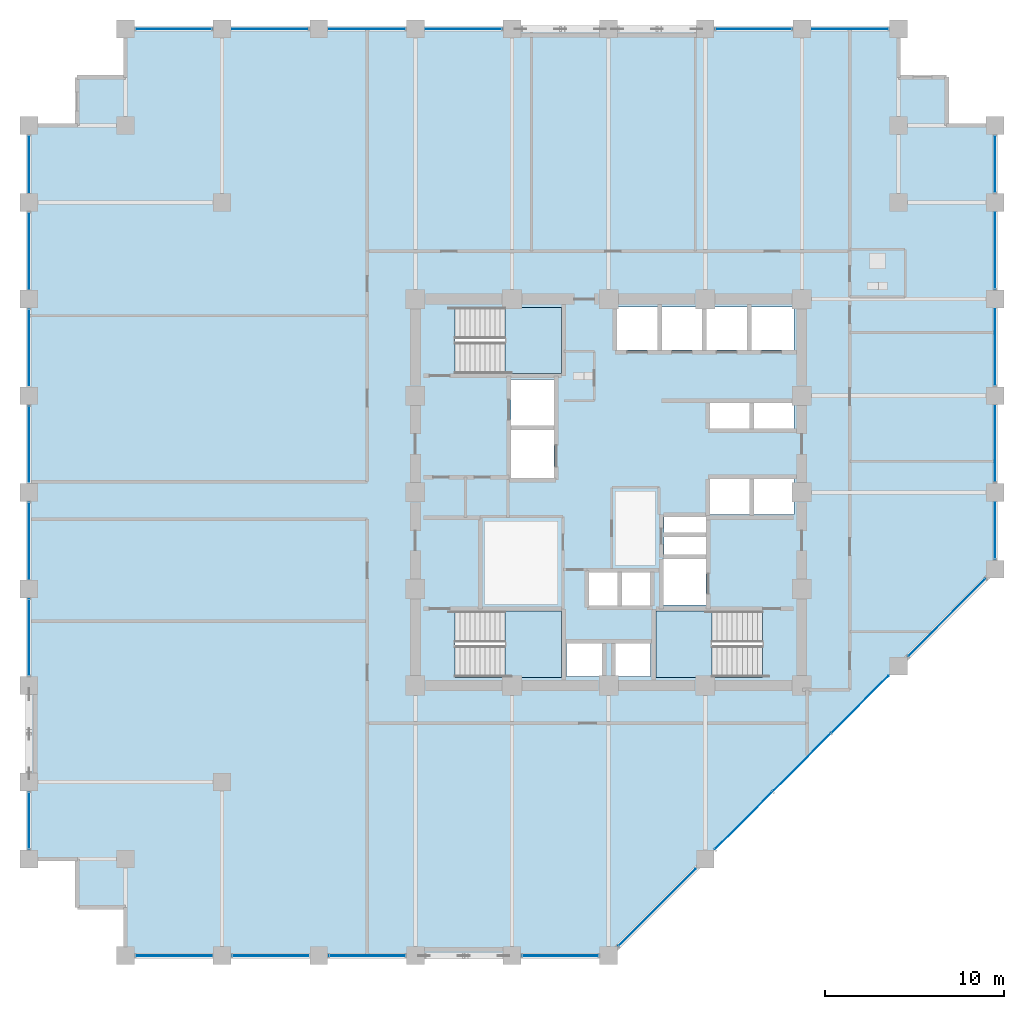
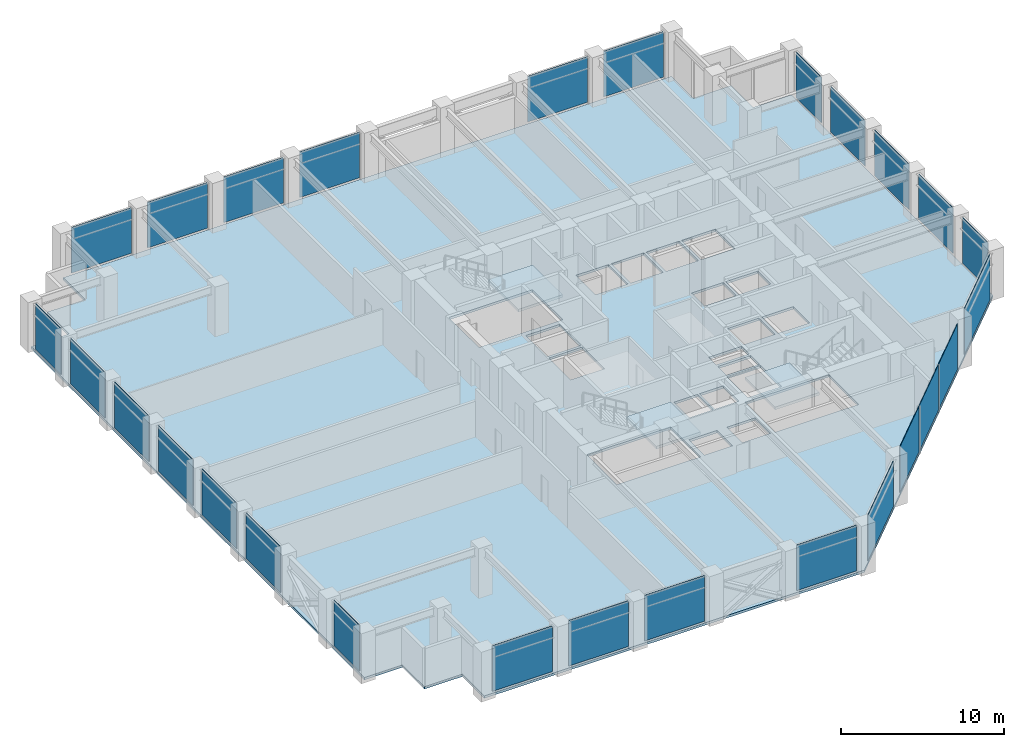
# One storey, part 17 of 23: 27 plates, 4 slabs, 11 elements without a shape of their own.
"""IFC4 building model written with IfcOpenShell, lengths in metres."""

from ifc_helpers import new_model, si_unit, direction, frame, frame_2d, origin, place, context, subcontext, project, spatial, polyline, rectangle, outline, extrude, material, layer, layer_set, type_object, element, aggregate, save


model = new_model("IFC4")

# Units and contexts
model_context = context("Model", 3, precision=1e-05, world=origin(), true_north=direction((0.0, 1.0)))
body_context = subcontext(model_context, "Body", "Model", "MODEL_VIEW")
ifc_project = project(units=[si_unit("LENGTHUNIT", "METRE"), si_unit("AREAUNIT", "SQUARE_METRE"), si_unit("VOLUMEUNIT", "CUBIC_METRE"), si_unit("PLANEANGLEUNIT", "RADIAN"), si_unit("MASSUNIT", "GRAM", prefix="KILO")], contexts=[model_context])

# Site, building, storey
site_placement = place(None, origin())
site = spatial("IfcSite", under=ifc_project, at=site_placement, CompositionType="ELEMENT")
building_placement = place(site_placement, origin())
building = spatial("IfcBuilding", under=site, at=building_placement, Name="Surkhivell Harbour Commons", CompositionType="ELEMENT")
storey_placement = place(building_placement, frame((0.0, 0.0, 135.75)))
storey = spatial("IfcBuildingStorey", under=building, at=storey_placement, Name="L35", CompositionType="ELEMENT", Elevation=135.75)

# Curtain wall, plates
ifc_material_1 = material(Name="Anodised pale-metal aluminium and insulated glazing", Category="aluminium")
ifc_layer_1 = layer(ifc_material_1, 0.205078125)
ifc_layer_set_1 = layer_set([ifc_layer_1], Name="Anodised pale-metal aluminium and insulated glazing")
curtain_wall_type = type_object("IfcCurtainWallType", Name="CW-SYS-Z2", PredefinedType="NOTDEFINED", material=ifc_layer_set_1)
curtain_wall_1_placement = place(storey_placement, origin())
curtain_wall_1 = element("IfcCurtainWall", 1, at=curtain_wall_1_placement, inside=storey, type_object=curtain_wall_type, Name="L35 Curtain Wall CW-L35-E00S1", PredefinedType="NOTDEFINED")
ifc_material_2 = material(Name="High-pressure typhoon laminated vision glass", Category="glass")
ifc_layer_2 = layer(ifc_material_2, 0.035888671875)
ifc_layer_set_2 = layer_set([ifc_layer_2], Name="High-pressure typhoon laminated vision glass")
plate_type = type_object("IfcPlateType", Name="CWP-GLZ-36", PredefinedType="CURTAIN_PANEL", material=ifc_layer_set_2)
plate_1_placement = place(storey_placement, frame((-26.423095703125, -25.89990234375, 0.14990234375), z_axis=(0.0, 0.0, 1.0), x_axis=(1.0, 0.0, 0.0)))
plate_1 = element("IfcPlate", 2, at=plate_1_placement, type_object=plate_type, Name="CW-Z2 panel 1.1", PredefinedType="CURTAIN_PANEL", context=body_context, shape_type="SweptSolid", body=[
    extrude(rectangle(XDim=4.24609375, YDim=0.035888671875, at=frame_2d((2.123046875, 0.0))), origin(), (0.0, 0.0, 1.0), 3.420166015625),
])
plate_2_placement = place(storey_placement, frame((-21.02294921875, -25.89990234375, 0.14990234375), z_axis=(0.0, 0.0, 1.0), x_axis=(1.0, 0.0, 0.0)))
plate_2 = element("IfcPlate", 3, at=plate_2_placement, type_object=plate_type, Name="CW-Z2 panel 2.1", PredefinedType="CURTAIN_PANEL", context=body_context, shape_type="SweptSolid", body=[
    extrude(rectangle(XDim=4.245849609375, YDim=0.035888671875, at=frame_2d((2.123046875, 0.0))), origin(), (0.0, 0.0, 1.0), 3.420166015625),
])
plate_3_placement = place(storey_placement, frame((-15.623046875, -25.89990234375, 0.14990234375), z_axis=(0.0, 0.0, 1.0), x_axis=(1.0, 0.0, 0.0)))
plate_3 = element("IfcPlate", 4, at=plate_3_placement, type_object=plate_type, Name="CW-Z2 panel 3.1", PredefinedType="CURTAIN_PANEL", context=body_context, shape_type="SweptSolid", body=[
    extrude(rectangle(XDim=4.24609375, YDim=0.035888671875, at=frame_2d((2.123046875, 0.0))), origin(), (0.0, 0.0, 1.0), 3.420166015625),
])
aggregate(curtain_wall_1, [plate_1, plate_2, plate_3])

# Curtain wall, plate
curtain_wall_2_placement = place(storey_placement, origin())
curtain_wall_2 = element("IfcCurtainWall", 5, at=curtain_wall_2_placement, inside=storey, type_object=curtain_wall_type, Name="L35 Curtain Wall CW-L35-E00S2", PredefinedType="NOTDEFINED")
plate_4_placement = place(storey_placement, frame((-4.822998046875, -25.89990234375, 0.14990234375), z_axis=(0.0, 0.0, 1.0), x_axis=(1.0, 0.0, 0.0)))
plate_4 = element("IfcPlate", 6, at=plate_4_placement, type_object=plate_type, Name="CW-Z2 panel 1.1", PredefinedType="CURTAIN_PANEL", context=body_context, shape_type="SweptSolid", body=[
    extrude(rectangle(XDim=4.24609375, YDim=0.035888671875, at=frame_2d((2.123046875, 0.0))), origin(), (0.0, 0.0, 1.0), 3.420166015625),
])
aggregate(curtain_wall_2, [plate_4])

# Curtain wall, plates
curtain_wall_3_placement = place(storey_placement, origin())
curtain_wall_3 = element("IfcCurtainWall", 7, at=curtain_wall_3_placement, inside=storey, type_object=curtain_wall_type, Name="L35 Curtain Wall CW-L35-E01", PredefinedType="NOTDEFINED")
plate_5_placement = place(storey_placement, frame((0.5546875, -25.34521484375, 0.14990234375), z_axis=(0.0, 0.0, 1.0), x_axis=(0.707106781187, 0.707106781187, 0.0)))
plate_5 = element("IfcPlate", 8, at=plate_5_placement, type_object=plate_type, Name="CW-Z2 panel 1.1", PredefinedType="CURTAIN_PANEL", context=body_context, shape_type="SweptSolid", body=[
    extrude(rectangle(XDim=6.067626953125, YDim=0.035888671875, at=frame_2d((3.03369140625, 0.0))), origin(), (0.0, 0.0, 1.0), 3.420166015625),
])
plate_6_placement = place(storey_placement, frame((5.954833984375, -19.9453125, 0.14990234375), z_axis=(0.0, 0.0, 1.0), x_axis=(0.707079687416, 0.707133873919, 0.0)))
plate_6 = element("IfcPlate", 9, at=plate_6_placement, type_object=plate_type, Name="CW-Z2 panel 2.1", PredefinedType="CURTAIN_PANEL", context=body_context, shape_type="SweptSolid", body=[
    extrude(rectangle(XDim=4.505615234375, YDim=0.035888671875, at=frame_2d((2.2529296875, 0.0))), origin(), (0.0, 0.0, 1.0), 3.420166015625),
])
plate_7_placement = place(storey_placement, frame((9.19384765625, -16.706298828125, 0.14990234375), z_axis=(0.0, 0.0, 1.0), x_axis=(0.707079911854, 0.707133649498, 0.0)))
plate_7 = element("IfcPlate", 10, at=plate_7_placement, type_object=plate_type, Name="CW-Z2 panel 3.1", PredefinedType="CURTAIN_PANEL", context=body_context, shape_type="SweptSolid", body=[
    extrude(rectangle(XDim=4.543212890625, YDim=0.035888671875, at=frame_2d((2.271484375, 0.0))), origin(), (0.0, 0.0, 1.0), 3.420166015625),
])
plate_8_placement = place(storey_placement, frame((12.459228515625, -13.440673828125, 0.14990234375), z_axis=(0.0, 0.0, 1.0), x_axis=(0.707106781187, 0.707106781187, 0.0)))
plate_8 = element("IfcPlate", 11, at=plate_8_placement, type_object=plate_type, Name="CW-Z2 panel 4.1", PredefinedType="CURTAIN_PANEL", context=body_context, shape_type="SweptSolid", body=[
    extrude(rectangle(XDim=4.505615234375, YDim=0.035888671875, at=frame_2d((2.2529296875, 0.0))), origin(), (0.0, 0.0, 1.0), 3.420166015625),
])
plate_9_placement = place(storey_placement, frame((16.754638671875, -9.145263671875, 0.14990234375), z_axis=(0.0, 0.0, 1.0), x_axis=(0.707106781187, 0.707106781187, 0.0)))
plate_9 = element("IfcPlate", 12, at=plate_9_placement, type_object=plate_type, Name="CW-Z2 panel 5.1", PredefinedType="CURTAIN_PANEL", context=body_context, shape_type="SweptSolid", body=[
    extrude(rectangle(XDim=6.067626953125, YDim=0.035888671875, at=frame_2d((3.03369140625, 0.0))), origin(), (0.0, 0.0, 1.0), 3.420166015625),
])
aggregate(curtain_wall_3, [plate_5, plate_6, plate_7, plate_8, plate_9])

curtain_wall_4_placement = place(storey_placement, origin())
curtain_wall_4 = element("IfcCurtainWall", 13, at=curtain_wall_4_placement, inside=storey, type_object=curtain_wall_type, Name="L35 Curtain Wall CW-L35-E02", PredefinedType="NOTDEFINED")
plate_10_placement = place(storey_placement, frame((21.60009765625, -3.722900390625, 0.14990234375), z_axis=(0.0, 0.0, 1.0), x_axis=(0.0, 1.0, 0.0)))
plate_10 = element("IfcPlate", 14, at=plate_10_placement, type_object=plate_type, Name="CW-Z2 panel 1.1", PredefinedType="CURTAIN_PANEL", context=body_context, shape_type="SweptSolid", body=[
    extrude(rectangle(XDim=3.14599609375, YDim=0.035888671875, at=frame_2d((1.572998046875, 0.0))), origin(), (0.0, 0.0, 1.0), 3.420166015625),
])
plate_11_placement = place(storey_placement, frame((21.60009765625, 0.576904296875, 0.14990234375), z_axis=(0.0, 0.0, 1.0), x_axis=(0.0, 1.0, 0.0)))
plate_11 = element("IfcPlate", 15, at=plate_11_placement, type_object=plate_type, Name="CW-Z2 panel 2.1", PredefinedType="CURTAIN_PANEL", context=body_context, shape_type="SweptSolid", body=[
    extrude(rectangle(XDim=4.24609375, YDim=0.035888671875, at=frame_2d((2.123046875, 0.0))), origin(), (0.0, 0.0, 1.0), 3.420166015625),
])
plate_12_placement = place(storey_placement, frame((21.60009765625, 5.97705078125, 0.14990234375), z_axis=(0.0, 0.0, 1.0), x_axis=(0.0, 1.0, 0.0)))
plate_12 = element("IfcPlate", 16, at=plate_12_placement, type_object=plate_type, Name="CW-Z2 panel 3.1", PredefinedType="CURTAIN_PANEL", context=body_context, shape_type="SweptSolid", body=[
    extrude(rectangle(XDim=4.245849609375, YDim=0.035888671875, at=frame_2d((2.123046875, 0.0))), origin(), (0.0, 0.0, 1.0), 3.420166015625),
])
plate_13_placement = place(storey_placement, frame((21.60009765625, 11.376953125, 0.14990234375), z_axis=(0.0, 0.0, 1.0), x_axis=(0.0, 1.0, 0.0)))
plate_13 = element("IfcPlate", 17, at=plate_13_placement, type_object=plate_type, Name="CW-Z2 panel 4.1", PredefinedType="CURTAIN_PANEL", context=body_context, shape_type="SweptSolid", body=[
    extrude(rectangle(XDim=4.24609375, YDim=0.035888671875, at=frame_2d((2.123046875, 0.0))), origin(), (0.0, 0.0, 1.0), 3.420166015625),
])
plate_14_placement = place(storey_placement, frame((21.60009765625, 16.777099609375, 0.14990234375), z_axis=(0.0, 0.0, 1.0), x_axis=(0.0, 1.0, 0.0)))
plate_14 = element("IfcPlate", 18, at=plate_14_placement, type_object=plate_type, Name="CW-Z2 panel 5.1", PredefinedType="CURTAIN_PANEL", context=body_context, shape_type="SweptSolid", body=[
    extrude(rectangle(XDim=3.14599609375, YDim=0.035888671875, at=frame_2d((1.572998046875, 0.0))), origin(), (0.0, 0.0, 1.0), 3.420166015625),
])
aggregate(curtain_wall_4, [plate_10, plate_11, plate_12, plate_13, plate_14])

curtain_wall_5_placement = place(storey_placement, origin())
curtain_wall_5 = element("IfcCurtainWall", 19, at=curtain_wall_5_placement, inside=storey, type_object=curtain_wall_type, Name="L35 Curtain Wall CW-L35-E07S1", PredefinedType="NOTDEFINED")
plate_15_placement = place(storey_placement, frame((15.623046875, 25.89990234375, 0.14990234375), z_axis=(0.0, 0.0, 1.0), x_axis=(-1.0, 0.0, 0.0)))
plate_15 = element("IfcPlate", 20, at=plate_15_placement, type_object=plate_type, Name="CW-Z2 panel 1.1", PredefinedType="CURTAIN_PANEL", context=body_context, shape_type="SweptSolid", body=[
    extrude(rectangle(XDim=4.24609375, YDim=0.035888671875, at=frame_2d((2.123046875, 0.0))), origin(), (0.0, 0.0, 1.0), 3.420166015625),
])
plate_16_placement = place(storey_placement, frame((10.222900390625, 25.89990234375, 0.14990234375), z_axis=(0.0, 0.0, 1.0), x_axis=(-1.0, 0.0, 0.0)))
plate_16 = element("IfcPlate", 21, at=plate_16_placement, type_object=plate_type, Name="CW-Z2 panel 2.1", PredefinedType="CURTAIN_PANEL", context=body_context, shape_type="SweptSolid", body=[
    extrude(rectangle(XDim=4.245849609375, YDim=0.035888671875, at=frame_2d((2.123046875, 0.0))), origin(), (0.0, 0.0, 1.0), 3.420166015625),
])
aggregate(curtain_wall_5, [plate_15, plate_16])

curtain_wall_6_placement = place(storey_placement, origin())
curtain_wall_6 = element("IfcCurtainWall", 22, at=curtain_wall_6_placement, inside=storey, type_object=curtain_wall_type, Name="L35 Curtain Wall CW-L35-E07S2", PredefinedType="NOTDEFINED")
plate_17_placement = place(storey_placement, frame((-5.97705078125, 25.89990234375, 0.14990234375), z_axis=(0.0, 0.0, 1.0), x_axis=(-1.0, 0.0, 0.0)))
plate_17 = element("IfcPlate", 23, at=plate_17_placement, type_object=plate_type, Name="CW-Z2 panel 1.1", PredefinedType="CURTAIN_PANEL", context=body_context, shape_type="SweptSolid", body=[
    extrude(rectangle(XDim=4.245849609375, YDim=0.035888671875, at=frame_2d((2.123046875, 0.0))), origin(), (0.0, 0.0, 1.0), 3.420166015625),
])
plate_18_placement = place(storey_placement, frame((-11.376953125, 25.89990234375, 0.14990234375), z_axis=(0.0, 0.0, 1.0), x_axis=(-1.0, 0.0, 0.0)))
plate_18 = element("IfcPlate", 24, at=plate_18_placement, type_object=plate_type, Name="CW-Z2 panel 2.1", PredefinedType="CURTAIN_PANEL", context=body_context, shape_type="SweptSolid", body=[
    extrude(rectangle(XDim=4.24609375, YDim=0.035888671875, at=frame_2d((2.123046875, 0.0))), origin(), (0.0, 0.0, 1.0), 3.420166015625),
])
plate_19_placement = place(storey_placement, frame((-16.777099609375, 25.89990234375, 0.14990234375), z_axis=(0.0, 0.0, 1.0), x_axis=(-1.0, 0.0, 0.0)))
plate_19 = element("IfcPlate", 25, at=plate_19_placement, type_object=plate_type, Name="CW-Z2 panel 3.1", PredefinedType="CURTAIN_PANEL", context=body_context, shape_type="SweptSolid", body=[
    extrude(rectangle(XDim=4.245849609375, YDim=0.035888671875, at=frame_2d((2.123046875, 0.0))), origin(), (0.0, 0.0, 1.0), 3.420166015625),
])
plate_20_placement = place(storey_placement, frame((-22.177001953125, 25.89990234375, 0.14990234375), z_axis=(0.0, 0.0, 1.0), x_axis=(-1.0, 0.0, 0.0)))
plate_20 = element("IfcPlate", 26, at=plate_20_placement, type_object=plate_type, Name="CW-Z2 panel 4.1", PredefinedType="CURTAIN_PANEL", context=body_context, shape_type="SweptSolid", body=[
    extrude(rectangle(XDim=4.24609375, YDim=0.035888671875, at=frame_2d((2.123046875, 0.0))), origin(), (0.0, 0.0, 1.0), 3.420166015625),
])
aggregate(curtain_wall_6, [plate_17, plate_18, plate_19, plate_20])

curtain_wall_7_placement = place(storey_placement, origin())
curtain_wall_7 = element("IfcCurtainWall", 27, at=curtain_wall_7_placement, inside=storey, type_object=curtain_wall_type, Name="L35 Curtain Wall CW-L35-E12S1", PredefinedType="NOTDEFINED")
plate_21_placement = place(storey_placement, frame((-32.39990234375, 19.923095703125, 0.14990234375), z_axis=(0.0, 0.0, 1.0), x_axis=(0.0, -1.0, 0.0)))
plate_21 = element("IfcPlate", 28, at=plate_21_placement, type_object=plate_type, Name="CW-Z2 panel 1.1", PredefinedType="CURTAIN_PANEL", context=body_context, shape_type="SweptSolid", body=[
    extrude(rectangle(XDim=3.14599609375, YDim=0.035888671875, at=frame_2d((1.572998046875, 0.0))), origin(), (0.0, 0.0, 1.0), 3.420166015625),
])
plate_22_placement = place(storey_placement, frame((-32.39990234375, 15.623046875, 0.14990234375), z_axis=(0.0, 0.0, 1.0), x_axis=(0.0, -1.0, 0.0)))
plate_22 = element("IfcPlate", 29, at=plate_22_placement, type_object=plate_type, Name="CW-Z2 panel 2.1", PredefinedType="CURTAIN_PANEL", context=body_context, shape_type="SweptSolid", body=[
    extrude(rectangle(XDim=4.24609375, YDim=0.035888671875, at=frame_2d((2.123046875, 0.0))), origin(), (0.0, 0.0, 1.0), 3.420166015625),
])
plate_23_placement = place(storey_placement, frame((-32.39990234375, 10.222900390625, 0.14990234375), z_axis=(0.0, 0.0, 1.0), x_axis=(0.0, -1.0, 0.0)))
plate_23 = element("IfcPlate", 30, at=plate_23_placement, type_object=plate_type, Name="CW-Z2 panel 3.1", PredefinedType="CURTAIN_PANEL", context=body_context, shape_type="SweptSolid", body=[
    extrude(rectangle(XDim=4.245849609375, YDim=0.035888671875, at=frame_2d((2.123046875, 0.0))), origin(), (0.0, 0.0, 1.0), 3.420166015625),
])
plate_24_placement = place(storey_placement, frame((-32.39990234375, 4.822998046875, 0.14990234375), z_axis=(0.0, 0.0, 1.0), x_axis=(0.0, -1.0, 0.0)))
plate_24 = element("IfcPlate", 31, at=plate_24_placement, type_object=plate_type, Name="CW-Z2 panel 4.1", PredefinedType="CURTAIN_PANEL", context=body_context, shape_type="SweptSolid", body=[
    extrude(rectangle(XDim=4.24609375, YDim=0.035888671875, at=frame_2d((2.123046875, 0.0))), origin(), (0.0, 0.0, 1.0), 3.420166015625),
])
plate_25_placement = place(storey_placement, frame((-32.39990234375, -0.576904296875, 0.14990234375), z_axis=(0.0, 0.0, 1.0), x_axis=(0.0, -1.0, 0.0)))
plate_25 = element("IfcPlate", 32, at=plate_25_placement, type_object=plate_type, Name="CW-Z2 panel 5.1", PredefinedType="CURTAIN_PANEL", context=body_context, shape_type="SweptSolid", body=[
    extrude(rectangle(XDim=4.24609375, YDim=0.035888671875, at=frame_2d((2.123046875, 0.0))), origin(), (0.0, 0.0, 1.0), 3.420166015625),
])
plate_26_placement = place(storey_placement, frame((-32.39990234375, -5.97705078125, 0.14990234375), z_axis=(0.0, 0.0, 1.0), x_axis=(0.0, -1.0, 0.0)))
plate_26 = element("IfcPlate", 33, at=plate_26_placement, type_object=plate_type, Name="CW-Z2 panel 6.1", PredefinedType="CURTAIN_PANEL", context=body_context, shape_type="SweptSolid", body=[
    extrude(rectangle(XDim=4.245849609375, YDim=0.035888671875, at=frame_2d((2.123046875, 0.0))), origin(), (0.0, 0.0, 1.0), 3.420166015625),
])
aggregate(curtain_wall_7, [plate_21, plate_22, plate_23, plate_24, plate_25, plate_26])

# Curtain wall, plate
curtain_wall_8_placement = place(storey_placement, origin())
curtain_wall_8 = element("IfcCurtainWall", 34, at=curtain_wall_8_placement, inside=storey, type_object=curtain_wall_type, Name="L35 Curtain Wall CW-L35-E12S2", PredefinedType="NOTDEFINED")
plate_27_placement = place(storey_placement, frame((-32.39990234375, -16.777099609375, 0.14990234375), z_axis=(0.0, 0.0, 1.0), x_axis=(0.0, -1.0, 0.0)))
plate_27 = element("IfcPlate", 35, at=plate_27_placement, type_object=plate_type, Name="CW-Z2 panel 1.1", PredefinedType="CURTAIN_PANEL", context=body_context, shape_type="SweptSolid", body=[
    extrude(rectangle(XDim=3.14599609375, YDim=0.035888671875, at=frame_2d((1.572998046875, 0.0))), origin(), (0.0, 0.0, 1.0), 3.420166015625),
])
aggregate(curtain_wall_8, [plate_27])

# Stair, slab
ifc_material_3 = material(Name="Precast concrete C45/55", Category="concrete")
stair_type = type_object("IfcStairType", Name="STR-DL-375", PredefinedType="HALF_TURN_STAIR", material=ifc_material_3)
stair_1_placement = place(storey_placement, origin())
stair_1 = element("IfcStair", 36, at=stair_1_placement, inside=storey, type_object=stair_type, Name="L35 Core Exit Stair ST1", PredefinedType="HALF_TURN_STAIR")
ifc_material_4 = material(Name="Reinforced concrete C45/55", Category="concrete")
ifc_layer_3 = layer(ifc_material_4, 0.199951171875)
ifc_layer_set_3 = layer_set([ifc_layer_3], Name="Reinforced concrete C45/55")
slab_type_1 = type_object("IfcSlabType", Name="SLB-ST-LND200", PredefinedType="LANDING", material=ifc_layer_set_3)
slab_1_placement = place(storey_placement, frame((0.0, 0.0, 1.675048828125)))
slab_1 = element("IfcSlab", 37, at=slab_1_placement, type_object=slab_type_1, Name="ST1 landing 1", PredefinedType="LANDING", context=body_context, shape_type="SweptSolid", body=[
    extrude(outline(polyline([(-5.7900390625, 6.639892578125), (-2.639892578125, 6.639892578125), (-2.639892578125, 10.340087890625), (-5.7900390625, 10.340087890625), (-5.7900390625, 6.639892578125)])), origin(), (0.0, 0.0, 1.0), 0.199951171875),
])
aggregate(stair_1, [slab_1])

stair_2_placement = place(storey_placement, origin())
stair_2 = element("IfcStair", 38, at=stair_2_placement, inside=storey, type_object=stair_type, Name="L35 Core Exit Stair ST2", PredefinedType="HALF_TURN_STAIR")
slab_2_placement = place(storey_placement, frame((0.0, 0.0, 1.675048828125)))
slab_2 = element("IfcSlab", 39, at=slab_2_placement, type_object=slab_type_1, Name="ST2 landing 1", PredefinedType="LANDING", context=body_context, shape_type="SweptSolid", body=[
    extrude(outline(polyline([(5.7900390625, -6.639892578125), (2.639892578125, -6.639892578125), (2.639892578125, -10.340087890625), (5.7900390625, -10.340087890625), (5.7900390625, -6.639892578125)])), origin(), (0.0, 0.0, 1.0), 0.199951171875),
])
aggregate(stair_2, [slab_2])

stair_3_placement = place(storey_placement, origin())
stair_3 = element("IfcStair", 40, at=stair_3_placement, inside=storey, type_object=stair_type, Name="L35 Core Exit Stair ST3", PredefinedType="HALF_TURN_STAIR")
slab_3_placement = place(storey_placement, frame((0.0, 0.0, 1.675048828125)))
slab_3 = element("IfcSlab", 41, at=slab_3_placement, type_object=slab_type_1, Name="ST3 landing 1", PredefinedType="LANDING", context=body_context, shape_type="SweptSolid", body=[
    extrude(outline(polyline([(-5.7900390625, -10.340087890625), (-2.639892578125, -10.340087890625), (-2.639892578125, -6.639892578125), (-5.7900390625, -6.639892578125), (-5.7900390625, -10.340087890625)])), origin(), (0.0, 0.0, 1.0), 0.199951171875),
])
aggregate(stair_3, [slab_3])

# Slab
ifc_material_5 = material(Name="Concrete C45/55", Category="concrete")
ifc_layer_4 = layer(ifc_material_5, 0.179931640625)
ifc_layer_set_4 = layer_set([ifc_layer_4], Name="Concrete C45/55")
slab_type_2 = type_object("IfcSlabType", Name="SLB-TYP-180", PredefinedType="FLOOR", material=ifc_layer_set_4)
slab_4_placement = place(storey_placement, frame((0.0, 0.0, -0.179931640625)))
element("IfcSlab", 42, at=slab_4_placement, inside=storey, type_object=slab_type_2, Name="L35 Structural Floor Slab", PredefinedType="FLOOR", context=body_context, shape_type="SweptSolid", body=[
    extrude(outline(polyline([(-27.0, -25.89990234375), (0.0, -25.89990234375), (21.60009765625, -4.300048828125), (21.60009765625, 20.5), (18.89990234375, 20.5), (18.89990234375, 23.199951171875), (16.199951171875, 23.199951171875), (16.199951171875, 25.89990234375), (-27.0, 25.89990234375), (-27.0, 23.199951171875), (-29.699951171875, 23.199951171875), (-29.699951171875, 20.5), (-32.39990234375, 20.5), (-32.39990234375, -20.5), (-29.699951171875, -20.5), (-29.699951171875, -23.199951171875), (-27.0, -23.199951171875), (-27.0, -25.89990234375)]), holes=[polyline([(-8.590087890625, 6.639892578125), (-2.639892578125, 6.639892578125), (-2.639892578125, 10.340087890625), (-8.590087890625, 10.340087890625), (-8.590087890625, 6.639892578125)]), polyline([(8.590087890625, -6.639892578125), (2.639892578125, -6.639892578125), (2.639892578125, -10.340087890625), (8.590087890625, -10.340087890625), (8.590087890625, -6.639892578125)]), polyline([(-8.590087890625, -10.340087890625), (-2.639892578125, -10.340087890625), (-2.639892578125, -6.639892578125), (-8.590087890625, -6.639892578125), (-8.590087890625, -10.340087890625)]), polyline([(0.449951171875, 7.949951171875), (2.75, 7.949951171875), (2.75, 10.35009765625), (0.449951171875, 10.35009765625), (0.449951171875, 7.949951171875)]), polyline([(2.949951171875, 7.949951171875), (5.25, 7.949951171875), (5.25, 10.35009765625), (2.949951171875, 10.35009765625), (2.949951171875, 7.949951171875)]), polyline([(5.449951171875, 7.949951171875), (7.75, 7.949951171875), (7.75, 10.35009765625), (5.449951171875, 10.35009765625), (5.449951171875, 7.949951171875)]), polyline([(7.949951171875, 7.949951171875), (10.35009765625, 7.949951171875), (10.35009765625, 10.35009765625), (7.949951171875, 10.35009765625), (7.949951171875, 7.949951171875)]), polyline([(5.64990234375, 3.550048828125), (7.89990234375, 3.550048828125), (7.89990234375, 5.14990234375), (5.64990234375, 5.14990234375), (5.64990234375, 3.550048828125)]), polyline([(8.10009765625, 3.550048828125), (10.35009765625, 3.550048828125), (10.35009765625, 5.14990234375), (8.10009765625, 5.14990234375), (8.10009765625, 3.550048828125)]), polyline([(5.64990234375, -1.25), (7.89990234375, -1.25), (7.89990234375, 0.75), (5.64990234375, 0.75), (5.64990234375, -1.25)]), polyline([(8.10009765625, -1.25), (10.35009765625, -1.25), (10.35009765625, 0.75), (8.10009765625, 0.75), (8.10009765625, -1.25)]), polyline([(-1.14990234375, -6.35009765625), (0.550048828125, -6.35009765625), (0.550048828125, -4.449951171875), (-1.14990234375, -4.449951171875), (-1.14990234375, -6.35009765625)]), polyline([(0.679931640625, -6.35009765625), (2.3798828125, -6.35009765625), (2.3798828125, -4.449951171875), (0.679931640625, -4.449951171875), (0.679931640625, -6.35009765625)]), polyline([(-2.35009765625, -10.300048828125), (-0.35009765625, -10.300048828125), (-0.35009765625, -8.39990234375), (-2.35009765625, -8.39990234375), (-2.35009765625, -10.300048828125)]), polyline([(0.35009765625, -10.300048828125), (2.35009765625, -10.300048828125), (2.35009765625, -8.39990234375), (0.35009765625, -8.39990234375), (0.35009765625, -10.300048828125)]), polyline([(-5.449951171875, 3.699951171875), (-3.050048828125, 3.699951171875), (-3.050048828125, 6.300048828125), (-5.449951171875, 6.300048828125), (-5.449951171875, 3.699951171875)]), polyline([(3.050048828125, -6.300048828125), (5.449951171875, -6.300048828125), (5.449951171875, -3.699951171875), (3.050048828125, -3.699951171875), (3.050048828125, -6.300048828125)]), polyline([(-5.449951171875, 0.800048828125), (-3.050048828125, 0.800048828125), (-3.050048828125, 3.5), (-5.449951171875, 3.5), (-5.449951171875, 0.800048828125)]), polyline([(3.10009765625, -3.550048828125), (5.449951171875, -3.550048828125), (5.449951171875, -2.47998046875), (3.10009765625, -2.47998046875), (3.10009765625, -3.550048828125)]), polyline([(3.10009765625, -2.280029296875), (5.449951171875, -2.280029296875), (5.449951171875, -1.35009765625), (3.10009765625, -1.35009765625), (3.10009765625, -2.280029296875)])]), origin(), (0.0, 0.0, 1.0), 0.179931640625),
])

save(model, "model.ifc")
